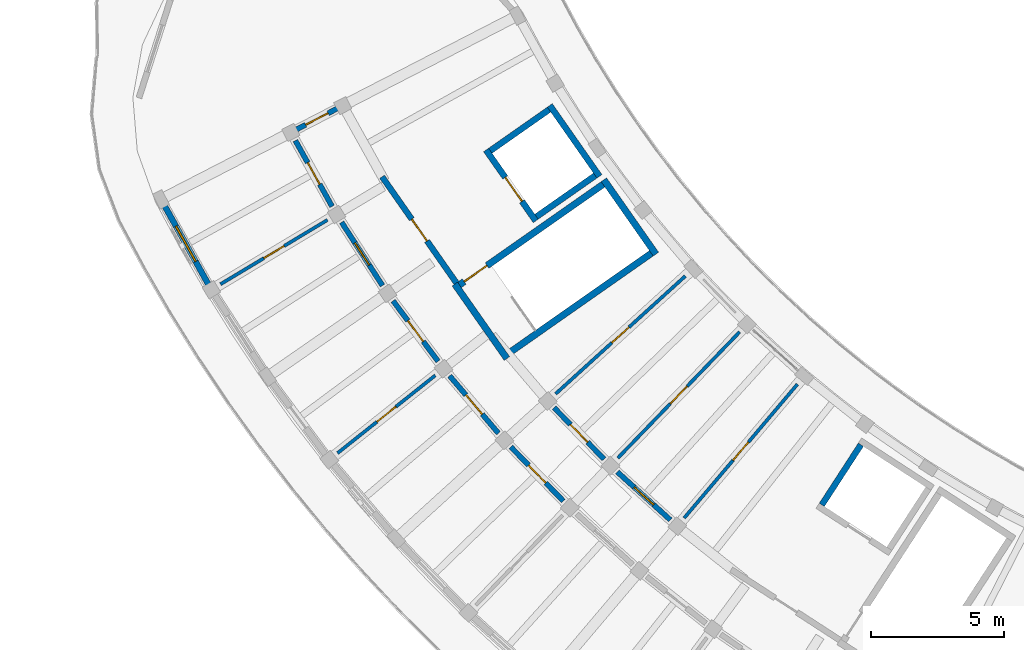
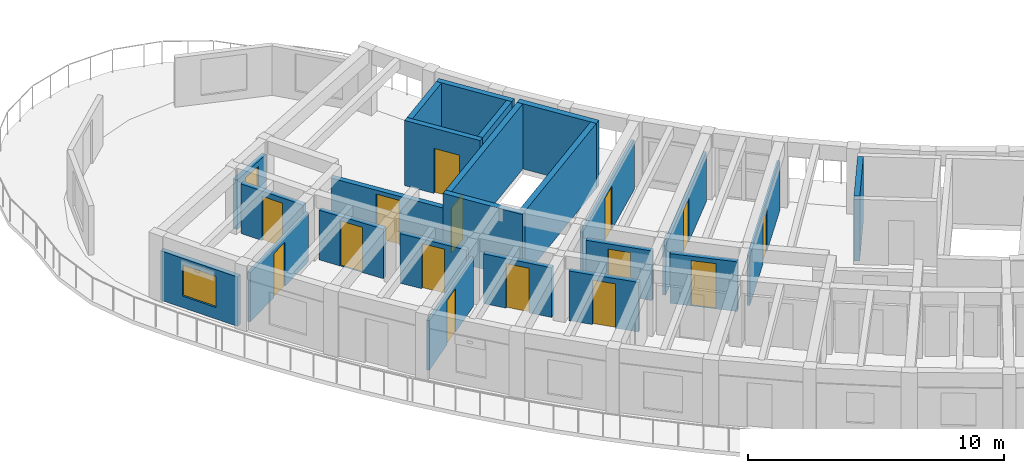
# One storey, part 17 of 41: 24 walls, 16 doors, 1 window, 17 openings.
"""IFC4 building model written with IfcOpenShell, lengths in metres."""

from ifc_helpers import new_model, si_unit, direction, frame, frame_2d, origin, place, context, subcontext, project, spatial, rectangle, extrude, material, layer, layer_set, type_object, element, fill, save


model = new_model("IFC4")

# Units and contexts
model_context = context("Model", 3, precision=1e-05, world=origin(), true_north=direction((0.0, 1.0)))
body_context = subcontext(model_context, "Body", "Model", "MODEL_VIEW")
ifc_project = project(units=[si_unit("LENGTHUNIT", "METRE"), si_unit("AREAUNIT", "SQUARE_METRE"), si_unit("VOLUMEUNIT", "CUBIC_METRE"), si_unit("PLANEANGLEUNIT", "RADIAN"), si_unit("MASSUNIT", "GRAM", prefix="KILO")], contexts=[model_context])

# Site, building, storey
site_placement = place(None, origin())
site = spatial("IfcSite", under=ifc_project, at=site_placement, CompositionType="ELEMENT")
building_placement = place(site_placement, origin())
building = spatial("IfcBuilding", under=site, at=building_placement, Name="Tanwirah Colonnade Gardens", CompositionType="ELEMENT")
storey_placement = place(building_placement, frame((0.0, 0.0, 35.719970703125)))
storey = spatial("IfcBuildingStorey", under=building, at=storey_placement, Name="L10", CompositionType="ELEMENT", Elevation=35.719970703125)

# Wall, opening, window
ifc_material_1 = material(Name="Limestone architectural precast concrete C40/50", Category="masonry")
ifc_layer_1 = layer(ifc_material_1, 0.219970703125)
ifc_layer_set_1 = layer_set([ifc_layer_1], Name="Limestone architectural precast concrete C40/50")
wall_type_1 = type_object("IfcWallType", Name="EW-PC220", PredefinedType="SOLIDWALL", material=ifc_layer_set_1)
wall_1_placement = place(storey_placement, frame((12.139404296875, 37.08935546875, 0.0), z_axis=(0.0, 0.0, 1.0), x_axis=(0.486730241133, -0.873552329495, 0.0)))
wall_1 = element("IfcWall", 1, at=wall_1_placement, inside=storey, type_object=wall_type_1, Name="Block C L10 OUT Precast Facade Wall 3", PredefinedType="SOLIDWALL", context=body_context, shape_type="SweptSolid", body=[
    extrude(rectangle(XDim=3.506591796875, YDim=0.219970703125, at=frame_2d((1.75341796875, 0.0))), origin(), (0.0, 0.0, 1.0), 2.35498046875),
])
opening_1_placement = place(wall_1_placement, frame((0.993408203125, 0.0, 0.550048828125)))
opening_1 = element("IfcOpeningElement", 2, at=opening_1_placement, cuts=wall_1, Name="Opening WIN-U10", PredefinedType="OPENING", context=body_context, shape_type="SweptSolid", body=[
    extrude(rectangle(XDim=1.52001953125, YDim=1.485107421875, at=frame_2d((0.760009765625, 0.74267578125))), frame((0.0, 0.119873046875, 0.0), z_axis=(0.0, -1.0, 0.0), x_axis=(1.0, 0.0, 0.0)), (0.0, 0.0, 1.0), 0.239990234375),
])
ifc_material_2 = material(Name="Thermally broken bronze aluminium and solar low-E double glazing", Category="aluminium")
window_type = type_object("IfcWindowType", Name="WIN-U10", PartitioningType="DOUBLE_PANEL_VERTICAL", PredefinedType="WINDOW", material=ifc_material_2)
window_placement = place(opening_1_placement, origin())
window = element("IfcWindow", 3, at=window_placement, inside=storey, type_object=window_type, Name="Facade window C-L10-OUT-03", OverallHeight=1.485107421875, OverallWidth=1.52001953125, PartitioningType="SINGLE_PANEL", PredefinedType="WINDOW", context=body_context, shape_type="SweptSolid", body=[
    extrude(rectangle(XDim=1.52001953125, YDim=1.485107421875, at=frame_2d((0.760009765625, 0.74267578125))), frame((0.0, 0.030029296875, 0.0), z_axis=(0.0, -1.0, 0.0), x_axis=(1.0, 0.0, 0.0)), (0.0, 0.0, 1.0), 0.06005859375),
])
fill(opening_1, window)

# Wall, opening, door
ifc_material_3 = material(Name="Precast concrete C40/50", Category="concrete")
ifc_layer_2 = layer(ifc_material_3, 0.195068359375)
ifc_layer_set_2 = layer_set([ifc_layer_2], Name="Precast concrete C40/50")
wall_type_2 = type_object("IfcWallType", Name="IW-CORR195", PredefinedType="PARTITIONING", material=ifc_layer_set_2)
wall_2_placement = place(storey_placement, frame((17.118896484375, 39.4462890625, 0.0), z_axis=(0.0, 0.0, 1.0), x_axis=(0.48673124079, -0.8735517725, 0.0)))
wall_2 = element("IfcWall", 4, at=wall_2_placement, inside=storey, type_object=wall_type_2, Name="Block C L10 OUT Corridor Wall 3", PredefinedType="PARTITIONING", context=body_context, shape_type="SweptSolid", body=[
    extrude(rectangle(XDim=2.8369140625, YDim=0.195068359375, at=frame_2d((1.41845703125, 0.0))), origin(), (0.0, 0.0, 1.0), 2.3701171875),
])
opening_2_placement = place(wall_2_placement, frame((0.95361328125, 0.0, 0.0)))
opening_2 = element("IfcOpeningElement", 5, at=opening_2_placement, cuts=wall_2, Name="Opening L10-AD1628", PredefinedType="OPENING", context=body_context, shape_type="SweptSolid", body=[
    extrude(rectangle(XDim=0.929931640625, YDim=2.1201171875, at=frame_2d((0.46484375, 1.06005859375))), frame((0.0, 0.107421875, 0.0), z_axis=(0.0, -1.0, 0.0), x_axis=(1.0, 0.0, 0.0)), (0.0, 0.0, 1.0), 0.215087890625),
])
ifc_material_4 = material(Name="Solid oak fire-resisting apartment entrance door")
door_type_1 = type_object("IfcDoorType", Name="ID-FLT093", OperationType="NOTDEFINED", PredefinedType="DOOR", material=ifc_material_4)
door_1_placement = place(opening_2_placement, origin())
door_1 = element("IfcDoor", 6, at=door_1_placement, inside=storey, type_object=door_type_1, Name="Apartment corridor door L10-AD1628", OperationType="SINGLE_SWING_RIGHT", OverallHeight=2.1201171875, OverallWidth=0.929931640625, PredefinedType="DOOR", context=body_context, shape_type="SweptSolid", body=[
    extrude(rectangle(XDim=0.929931640625, YDim=2.1201171875, at=frame_2d((0.46484375, 1.06005859375))), frame((0.0, 0.02490234375, 0.0), z_axis=(0.0, -1.0, 0.0), x_axis=(1.0, 0.0, 0.0)), (0.0, 0.0, 1.0), 0.050048828125),
])
fill(opening_2, door_1)

wall_3_placement = place(storey_placement, frame((18.860107421875, 36.3681640625, 0.0), z_axis=(0.0, 0.0, 1.0), x_axis=(0.542787304957, -0.83987019329, 0.0)))
wall_3 = element("IfcWall", 7, at=wall_3_placement, inside=storey, type_object=wall_type_2, Name="Block C L10 OUT Corridor Wall 4", PredefinedType="PARTITIONING", context=body_context, shape_type="SweptSolid", body=[
    extrude(rectangle(XDim=2.8369140625, YDim=0.195068359375, at=frame_2d((1.41845703125, 0.0))), origin(), (0.0, 0.0, 1.0), 2.3701171875),
])
opening_3_placement = place(wall_3_placement, frame((0.923583984375, 0.0, 0.0)))
opening_3 = element("IfcOpeningElement", 8, at=opening_3_placement, cuts=wall_3, Name="Opening L10-AD1630", PredefinedType="OPENING", context=body_context, shape_type="SweptSolid", body=[
    extrude(rectangle(XDim=0.989990234375, YDim=2.159912109375, at=frame_2d((0.4951171875, 1.080078125))), frame((0.0, 0.107421875, 0.0), z_axis=(0.0, -1.0, 0.0), x_axis=(1.0, 0.0, 0.0)), (0.0, 0.0, 1.0), 0.215087890625),
])
door_type_2 = type_object("IfcDoorType", Name="ID-FLT099", OperationType="NOTDEFINED", PredefinedType="DOOR", material=ifc_material_4)
door_2_placement = place(opening_3_placement, origin())
door_2 = element("IfcDoor", 9, at=door_2_placement, inside=storey, type_object=door_type_2, Name="Apartment corridor door L10-AD1630", OperationType="SINGLE_SWING_LEFT", OverallHeight=2.159912109375, OverallWidth=0.989990234375, PredefinedType="DOOR", context=body_context, shape_type="SweptSolid", body=[
    extrude(rectangle(XDim=0.989990234375, YDim=2.159912109375, at=frame_2d((0.4951171875, 1.080078125))), frame((0.0, 0.02490234375, 0.0), z_axis=(0.0, -1.0, 0.0), x_axis=(1.0, 0.0, 0.0)), (0.0, 0.0, 1.0), 0.050048828125),
])
fill(opening_3, door_2)

wall_4_placement = place(storey_placement, frame((20.798828125, 33.410888671875, 0.0), z_axis=(0.0, 0.0, 1.0), x_axis=(0.596552136601, -0.802574325727, 0.0)))
wall_4 = element("IfcWall", 10, at=wall_4_placement, inside=storey, type_object=wall_type_2, Name="Block C L10 OUT Corridor Wall 5", PredefinedType="PARTITIONING", context=body_context, shape_type="SweptSolid", body=[
    extrude(rectangle(XDim=2.8369140625, YDim=0.195068359375, at=frame_2d((1.41845703125, 0.0))), origin(), (0.0, 0.0, 1.0), 2.3701171875),
])
opening_4_placement = place(wall_4_placement, frame((0.93359375, 0.0, 0.0)))
opening_4 = element("IfcOpeningElement", 11, at=opening_4_placement, cuts=wall_4, Name="Opening L10-AD1631", PredefinedType="OPENING", context=body_context, shape_type="SweptSolid", body=[
    extrude(rectangle(XDim=0.969970703125, YDim=2.14990234375, at=frame_2d((0.48486328125, 1.074951171875))), frame((0.0, 0.107421875, 0.0), z_axis=(0.0, -1.0, 0.0), x_axis=(1.0, 0.0, 0.0)), (0.0, 0.0, 1.0), 0.215087890625),
])
door_type_3 = type_object("IfcDoorType", Name="ID-FLT097", OperationType="NOTDEFINED", PredefinedType="DOOR", material=ifc_material_4)
door_3_placement = place(opening_4_placement, origin())
door_3 = element("IfcDoor", 12, at=door_3_placement, inside=storey, type_object=door_type_3, Name="Apartment corridor door L10-AD1631", OperationType="SINGLE_SWING_RIGHT", OverallHeight=2.14990234375, OverallWidth=0.969970703125, PredefinedType="DOOR", context=body_context, shape_type="SweptSolid", body=[
    extrude(rectangle(XDim=0.969970703125, YDim=2.14990234375, at=frame_2d((0.48486328125, 1.074951171875))), frame((0.0, 0.02490234375, 0.0), z_axis=(0.0, -1.0, 0.0), x_axis=(1.0, 0.0, 0.0)), (0.0, 0.0, 1.0), 0.050048828125),
])
fill(opening_4, door_3)

wall_5_placement = place(storey_placement, frame((22.9267578125, 30.58642578125, 0.0), z_axis=(0.0, 0.0, 1.0), x_axis=(0.64778830669, -0.761820392032, 0.0)))
wall_5 = element("IfcWall", 13, at=wall_5_placement, inside=storey, type_object=wall_type_2, Name="Block C L10 OUT Corridor Wall 6", PredefinedType="PARTITIONING", context=body_context, shape_type="SweptSolid", body=[
    extrude(rectangle(XDim=2.8369140625, YDim=0.195068359375, at=frame_2d((1.41845703125, 0.0))), origin(), (0.0, 0.0, 1.0), 2.3701171875),
])
opening_5_placement = place(wall_5_placement, frame((0.943603515625, 0.0, 0.0)))
opening_5 = element("IfcOpeningElement", 14, at=opening_5_placement, cuts=wall_5, Name="Opening L10-AD1633", PredefinedType="OPENING", context=body_context, shape_type="SweptSolid", body=[
    extrude(rectangle(XDim=0.949951171875, YDim=2.1298828125, at=frame_2d((0.47509765625, 1.06494140625))), frame((0.0, 0.107421875, 0.0), z_axis=(0.0, -1.0, 0.0), x_axis=(1.0, 0.0, 0.0)), (0.0, 0.0, 1.0), 0.215087890625),
])
door_type_4 = type_object("IfcDoorType", Name="ID-FLT095", OperationType="NOTDEFINED", PredefinedType="DOOR", material=ifc_material_4)
door_4_placement = place(opening_5_placement, origin())
door_4 = element("IfcDoor", 15, at=door_4_placement, inside=storey, type_object=door_type_4, Name="Apartment corridor door L10-AD1633", OperationType="SINGLE_SWING_LEFT", OverallHeight=2.1298828125, OverallWidth=0.949951171875, PredefinedType="DOOR", context=body_context, shape_type="SweptSolid", body=[
    extrude(rectangle(XDim=0.949951171875, YDim=2.1298828125, at=frame_2d((0.47509765625, 1.06494140625))), frame((0.0, 0.02490234375, 0.0), z_axis=(0.0, -1.0, 0.0), x_axis=(1.0, 0.0, 0.0)), (0.0, 0.0, 1.0), 0.050048828125),
])
fill(opening_5, door_4)

wall_6_placement = place(storey_placement, frame((25.23486328125, 27.9072265625, 0.0), z_axis=(0.0, 0.0, 1.0), x_axis=(0.696223786753, -0.717824796701, 0.0)))
wall_6 = element("IfcWall", 16, at=wall_6_placement, inside=storey, type_object=wall_type_2, Name="Block C L10 OUT Corridor Wall 7", PredefinedType="PARTITIONING", context=body_context, shape_type="SweptSolid", body=[
    extrude(rectangle(XDim=2.8369140625, YDim=0.195068359375, at=frame_2d((1.41845703125, 0.0))), origin(), (0.0, 0.0, 1.0), 2.3701171875),
])
opening_6_placement = place(wall_6_placement, frame((0.95361328125, 0.0, 0.0)))
opening_6 = element("IfcOpeningElement", 17, at=opening_6_placement, cuts=wall_6, Name="Opening L10-AD1635", PredefinedType="OPENING", context=body_context, shape_type="SweptSolid", body=[
    extrude(rectangle(XDim=0.929931640625, YDim=2.1201171875, at=frame_2d((0.46484375, 1.06005859375))), frame((0.0, 0.107421875, 0.0), z_axis=(0.0, -1.0, 0.0), x_axis=(1.0, 0.0, 0.0)), (0.0, 0.0, 1.0), 0.215087890625),
])
door_5_placement = place(opening_6_placement, origin())
door_5 = element("IfcDoor", 18, at=door_5_placement, inside=storey, type_object=door_type_1, Name="Apartment corridor door L10-AD1635", OperationType="SINGLE_SWING_RIGHT", OverallHeight=2.1201171875, OverallWidth=0.929931640625, PredefinedType="DOOR", context=body_context, shape_type="SweptSolid", body=[
    extrude(rectangle(XDim=0.929931640625, YDim=2.1201171875, at=frame_2d((0.46484375, 1.06005859375))), frame((0.0, 0.02490234375, 0.0), z_axis=(0.0, -1.0, 0.0), x_axis=(1.0, 0.0, 0.0)), (0.0, 0.0, 1.0), 0.050048828125),
])
fill(opening_6, door_5)

wall_7_placement = place(storey_placement, frame((26.86328125, 29.386474609375, 0.0), z_axis=(0.0, 0.0, 1.0), x_axis=(0.696236443412, -0.717812520694, 0.0)))
wall_7 = element("IfcWall", 19, at=wall_7_placement, inside=storey, type_object=wall_type_2, Name="Block C L10 IN Corridor Wall 7", PredefinedType="PARTITIONING", context=body_context, shape_type="SweptSolid", body=[
    extrude(rectangle(XDim=2.693115234375, YDim=0.195068359375, at=frame_2d((1.3466796875, 0.0))), origin(), (0.0, 0.0, 1.0), 2.3701171875),
])
opening_7_placement = place(wall_7_placement, frame((0.881591796875, 0.0, 0.0)))
opening_7 = element("IfcOpeningElement", 20, at=opening_7_placement, cuts=wall_7, Name="Opening L10-AD1636", PredefinedType="OPENING", context=body_context, shape_type="SweptSolid", body=[
    extrude(rectangle(XDim=0.929931640625, YDim=2.1201171875, at=frame_2d((0.46484375, 1.06005859375))), frame((0.0, 0.107421875, 0.0), z_axis=(0.0, -1.0, 0.0), x_axis=(1.0, 0.0, 0.0)), (0.0, 0.0, 1.0), 0.215087890625),
])
door_6_placement = place(opening_7_placement, origin())
door_6 = element("IfcDoor", 21, at=door_6_placement, inside=storey, type_object=door_type_1, Name="Apartment corridor door L10-AD1636", OperationType="SINGLE_SWING_LEFT", OverallHeight=2.1201171875, OverallWidth=0.929931640625, PredefinedType="DOOR", context=body_context, shape_type="SweptSolid", body=[
    extrude(rectangle(XDim=0.929931640625, YDim=2.1201171875, at=frame_2d((0.46484375, 1.06005859375))), frame((0.0, 0.02490234375, 0.0), z_axis=(0.0, -1.0, 0.0), x_axis=(1.0, 0.0, 0.0)), (0.0, 0.0, 1.0), 0.050048828125),
])
fill(opening_7, door_6)

wall_8_placement = place(storey_placement, frame((29.241455078125, 26.967529296875, 0.0), z_axis=(0.0, 0.0, 1.0), x_axis=(0.74166462946, -0.670770882945, 0.0)))
wall_8 = element("IfcWall", 22, at=wall_8_placement, inside=storey, type_object=wall_type_2, Name="Block C L10 IN Corridor Wall 8", PredefinedType="PARTITIONING", context=body_context, shape_type="SweptSolid", body=[
    extrude(rectangle(XDim=2.693115234375, YDim=0.195068359375, at=frame_2d((1.3466796875, 0.0))), origin(), (0.0, 0.0, 1.0), 2.3701171875),
])
opening_8_placement = place(wall_8_placement, frame((0.8515625, 0.0, 0.0)))
opening_8 = element("IfcOpeningElement", 23, at=opening_8_placement, cuts=wall_8, Name="Opening L10-AD1640", PredefinedType="OPENING", context=body_context, shape_type="SweptSolid", body=[
    extrude(rectangle(XDim=0.989990234375, YDim=2.159912109375, at=frame_2d((0.4951171875, 1.080078125))), frame((0.0, 0.107421875, 0.0), z_axis=(0.0, -1.0, 0.0), x_axis=(1.0, 0.0, 0.0)), (0.0, 0.0, 1.0), 0.215087890625),
])
door_7_placement = place(opening_8_placement, origin())
door_7 = element("IfcDoor", 24, at=door_7_placement, inside=storey, type_object=door_type_2, Name="Apartment corridor door L10-AD1640", OperationType="SINGLE_SWING_RIGHT", OverallHeight=2.159912109375, OverallWidth=0.989990234375, PredefinedType="DOOR", context=body_context, shape_type="SweptSolid", body=[
    extrude(rectangle(XDim=0.989990234375, YDim=2.159912109375, at=frame_2d((0.4951171875, 1.080078125))), frame((0.0, 0.02490234375, 0.0), z_axis=(0.0, -1.0, 0.0), x_axis=(1.0, 0.0, 0.0)), (0.0, 0.0, 1.0), 0.050048828125),
])
fill(opening_8, door_7)

wall_9_placement = place(storey_placement, frame((18.860107421875, 40.736328125, 0.0), z_axis=(0.0, 0.0, 1.0), x_axis=(-0.889039089533, -0.45783129784, 0.0)))
wall_9 = element("IfcWall", 25, at=wall_9_placement, inside=storey, type_object=wall_type_2, Name="Block C L10 CS Corner Suite Corridor Wall", PredefinedType="PARTITIONING", context=body_context, shape_type="SweptSolid", body=[
    extrude(rectangle(XDim=2.099853515625, YDim=0.195068359375, at=frame_2d((1.0498046875, 0.0))), origin(), (0.0, 0.0, 1.0), 2.3701171875),
])
opening_9_placement = place(wall_9_placement, frame((0.570068359375, 0.0, 0.0)))
opening_9 = element("IfcOpeningElement", 26, at=opening_9_placement, cuts=wall_9, Name="Opening L10-CD1648", PredefinedType="OPENING", context=body_context, shape_type="SweptSolid", body=[
    extrude(rectangle(XDim=0.949951171875, YDim=2.1298828125, at=frame_2d((0.47509765625, 1.06494140625))), frame((0.0, 0.107421875, 0.0), z_axis=(0.0, -1.0, 0.0), x_axis=(1.0, 0.0, 0.0)), (0.0, 0.0, 1.0), 0.215087890625),
])
door_8_placement = place(opening_9_placement, origin())
door_8 = element("IfcDoor", 27, at=door_8_placement, inside=storey, type_object=door_type_4, Name="Corner suite entrance door L10-CD1648", OperationType="SINGLE_SWING_LEFT", OverallHeight=2.1298828125, OverallWidth=0.949951171875, PredefinedType="DOOR", context=body_context, shape_type="SweptSolid", body=[
    extrude(rectangle(XDim=0.949951171875, YDim=2.1298828125, at=frame_2d((0.47509765625, 1.06494140625))), frame((0.0, 0.02490234375, 0.0), z_axis=(0.0, -1.0, 0.0), x_axis=(1.0, 0.0, 0.0)), (0.0, 0.0, 1.0), 0.050048828125),
])
fill(opening_9, door_8)

ifc_material_5 = material(Name="Autoclaved aerated masonry blockwork", Category="masonry")
ifc_layer_3 = layer(ifc_material_5, 0.219970703125)
ifc_layer_set_3 = layer_set([ifc_layer_3], Name="Autoclaved aerated masonry blockwork")
wall_type_3 = type_object("IfcWallType", Name="IW-FFL220", PredefinedType="PARTITIONING", material=ifc_layer_set_3)
wall_10_placement = place(storey_placement, frame((23.19482421875, 34.06787109375, 0.0), z_axis=(0.0, 0.0, 1.0), x_axis=(-0.573572687386, 0.819154669329, 0.0)))
wall_10 = element("IfcWall", 28, at=wall_10_placement, inside=storey, type_object=wall_type_3, Name="CORE-C1 L10 Enclosed Lobby Fire Wall", PredefinedType="PARTITIONING", context=body_context, shape_type="SweptSolid", body=[
    extrude(rectangle(XDim=4.900146484375, YDim=0.219970703125, at=frame_2d((2.4501953125, 0.0))), origin(), (0.0, 0.0, 1.0), 2.340087890625),
])
opening_10_placement = place(wall_10_placement, frame((1.949951171875, 0.0, 0.0)))
opening_10 = element("IfcOpeningElement", 29, at=opening_10_placement, cuts=wall_10, Name="Opening L10-LD144", PredefinedType="OPENING", context=body_context, shape_type="SweptSolid", body=[
    extrude(rectangle(XDim=1.0, YDim=2.14990234375, at=frame_2d((0.5, 1.074951171875))), frame((0.0, 0.119873046875, 0.0), z_axis=(0.0, -1.0, 0.0), x_axis=(1.0, 0.0, 0.0)), (0.0, 0.0, 1.0), 0.239990234375),
])
ifc_material_6 = material(Name="Acoustic fire-resisting lobby door")
door_type_5 = type_object("IfcDoorType", Name="ID-FFL100", OperationType="NOTDEFINED", PredefinedType="DOOR", material=ifc_material_6)
door_9_placement = place(opening_10_placement, origin())
door_9 = element("IfcDoor", 30, at=door_9_placement, inside=storey, type_object=door_type_5, Name="CORE-C1 L10 Lobby Fire Door L10-LD144", OperationType="SINGLE_SWING_LEFT", OverallHeight=2.14990234375, OverallWidth=1.0, PredefinedType="DOOR", context=body_context, shape_type="SweptSolid", body=[
    extrude(rectangle(XDim=1.0, YDim=2.14990234375, at=frame_2d((0.5, 1.074951171875))), frame((0.0, 0.02490234375, 0.0), z_axis=(0.0, -1.0, 0.0), x_axis=(1.0, 0.0, 0.0)), (0.0, 0.0, 1.0), 0.050048828125),
])
fill(opening_10, door_9)

ifc_material_7 = material(Name="Moisture-resistant gypsum stud partition")
ifc_layer_4 = layer(ifc_material_7, 0.125)
ifc_layer_set_4 = layer_set([ifc_layer_4], Name="Moisture-resistant gypsum stud partition")
wall_type_4 = type_object("IfcWallType", Name="IW-INT125", PredefinedType="PARTITIONING", material=ifc_layer_set_4)
wall_11_placement = place(storey_placement, frame((18.3271484375, 36.456298828125, 0.0), z_axis=(0.0, 0.0, 1.0), x_axis=(-0.857139805444, -0.515083831937, 0.0)))
wall_11 = element("IfcWall", 31, at=wall_11_placement, inside=storey, type_object=wall_type_4, Name="Block C L10 Radial Partition 3", PredefinedType="PARTITIONING", context=body_context, shape_type="SweptSolid", body=[
    extrude(rectangle(XDim=4.699951171875, YDim=0.125, at=frame_2d((2.35009765625, 0.0))), origin(), (0.0, 0.0, 1.0), 2.3701171875),
])
opening_11_placement = place(wall_11_placement, frame((1.905029296875, 0.0, 0.0)))
opening_11 = element("IfcOpeningElement", 32, at=opening_11_placement, cuts=wall_11, Name="Opening L10-RD1629", PredefinedType="OPENING", context=body_context, shape_type="SweptSolid", body=[
    extrude(rectangle(XDim=0.889892578125, YDim=2.10009765625, at=frame_2d((0.44482421875, 1.050048828125))), frame((0.0, 0.072509765625, 0.0), z_axis=(0.0, -1.0, 0.0), x_axis=(1.0, 0.0, 0.0)), (0.0, 0.0, 1.0), 0.14501953125),
])
ifc_material_8 = material(Name="Painted hardwood bedroom door", Category="wood")
door_type_6 = type_object("IfcDoorType", Name="ID-RM089", OperationType="NOTDEFINED", PredefinedType="DOOR", material=ifc_material_8)
door_10_placement = place(opening_11_placement, origin())
door_10 = element("IfcDoor", 33, at=door_10_placement, inside=storey, type_object=door_type_6, Name="Internal apartment door L10-RD1629", OperationType="SINGLE_SWING_RIGHT", OverallHeight=2.10009765625, OverallWidth=0.889892578125, PredefinedType="DOOR", context=body_context, shape_type="SweptSolid", body=[
    extrude(rectangle(XDim=0.889892578125, YDim=2.10009765625, at=frame_2d((0.44482421875, 1.050048828125))), frame((0.0, 0.02490234375, 0.0), z_axis=(0.0, -1.0, 0.0), x_axis=(1.0, 0.0, 0.0)), (0.0, 0.0, 1.0), 0.050048828125),
])
fill(opening_11, door_10)

wall_12_placement = place(storey_placement, frame((22.386962890625, 30.60400390625, 0.0), z_axis=(0.0, 0.0, 1.0), x_axis=(-0.782609106384, -0.622513442911, 0.0)))
wall_12 = element("IfcWall", 34, at=wall_12_placement, inside=storey, type_object=wall_type_4, Name="Block C L10 Radial Partition 5", PredefinedType="PARTITIONING", context=body_context, shape_type="SweptSolid", body=[
    extrude(rectangle(XDim=4.699951171875, YDim=0.125, at=frame_2d((2.35009765625, 0.0))), origin(), (0.0, 0.0, 1.0), 2.3701171875),
])
opening_12_placement = place(wall_12_placement, frame((1.89501953125, 0.0, 0.0)))
opening_12 = element("IfcOpeningElement", 35, at=opening_12_placement, cuts=wall_12, Name="Opening L10-RD1632", PredefinedType="OPENING", context=body_context, shape_type="SweptSolid", body=[
    extrude(rectangle(XDim=0.909912109375, YDim=2.10009765625, at=frame_2d((0.455078125, 1.050048828125))), frame((0.0, 0.072509765625, 0.0), z_axis=(0.0, -1.0, 0.0), x_axis=(1.0, 0.0, 0.0)), (0.0, 0.0, 1.0), 0.14501953125),
])
ifc_material_9 = material(Name="Painted hardwood internal room door", Category="wood")
door_type_7 = type_object("IfcDoorType", Name="ID-RM091", OperationType="NOTDEFINED", PredefinedType="DOOR", material=ifc_material_9)
door_11_placement = place(opening_12_placement, origin())
door_11 = element("IfcDoor", 36, at=door_11_placement, inside=storey, type_object=door_type_7, Name="Internal apartment door L10-RD1632", OperationType="SINGLE_SWING_RIGHT", OverallHeight=2.10009765625, OverallWidth=0.909912109375, PredefinedType="DOOR", context=body_context, shape_type="SweptSolid", body=[
    extrude(rectangle(XDim=0.909912109375, YDim=2.10009765625, at=frame_2d((0.455078125, 1.050048828125))), frame((0.0, 0.02490234375, 0.0), z_axis=(0.0, -1.0, 0.0), x_axis=(1.0, 0.0, 0.0)), (0.0, 0.0, 1.0), 0.050048828125),
])
fill(opening_12, door_11)

wall_13_placement = place(storey_placement, frame((31.80126953125, 34.34423828125, 0.0), z_axis=(0.0, 0.0, 1.0), x_axis=(-0.74023124711, -0.672352363573, 0.0)))
wall_13 = element("IfcWall", 37, at=wall_13_placement, inside=storey, type_object=wall_type_4, Name="Block C L10 Inner Radial Partition 6", PredefinedType="PARTITIONING", context=body_context, shape_type="SweptSolid", body=[
    extrude(rectangle(XDim=6.599853515625, YDim=0.125, at=frame_2d((3.2998046875, 0.0))), origin(), (0.0, 0.0, 1.0), 2.3701171875),
])
opening_13_placement = place(wall_13_placement, frame((2.864990234375, 0.0, 0.0)))
opening_13 = element("IfcOpeningElement", 38, at=opening_13_placement, cuts=wall_13, Name="Opening L10-RD1634", PredefinedType="OPENING", context=body_context, shape_type="SweptSolid", body=[
    extrude(rectangle(XDim=0.8701171875, YDim=2.080078125, at=frame_2d((0.43505859375, 1.0400390625))), frame((0.0, 0.072509765625, 0.0), z_axis=(0.0, -1.0, 0.0), x_axis=(1.0, 0.0, 0.0)), (0.0, 0.0, 1.0), 0.14501953125),
])
ifc_material_10 = material(Name="Painted hardwood study door", Category="wood")
door_type_8 = type_object("IfcDoorType", Name="ID-RM087", OperationType="NOTDEFINED", PredefinedType="DOOR", material=ifc_material_10)
door_12_placement = place(opening_13_placement, origin())
door_12 = element("IfcDoor", 39, at=door_12_placement, inside=storey, type_object=door_type_8, Name="Internal apartment door L10-RD1634", OperationType="SINGLE_SWING_RIGHT", OverallHeight=2.080078125, OverallWidth=0.8701171875, PredefinedType="DOOR", context=body_context, shape_type="SweptSolid", body=[
    extrude(rectangle(XDim=0.8701171875, YDim=2.080078125, at=frame_2d((0.43505859375, 1.0400390625))), frame((0.0, 0.02490234375, 0.0), z_axis=(0.0, -1.0, 0.0), x_axis=(1.0, 0.0, 0.0)), (0.0, 0.0, 1.0), 0.050048828125),
])
fill(opening_13, door_12)

wall_14_placement = place(storey_placement, frame((33.844482421875, 32.237548828125, 0.0), z_axis=(0.0, 0.0, 1.0), x_axis=(-0.69466250658, -0.71933580611, 0.0)))
wall_14 = element("IfcWall", 40, at=wall_14_placement, inside=storey, type_object=wall_type_4, Name="Block C L10 Inner Radial Partition 7", PredefinedType="PARTITIONING", context=body_context, shape_type="SweptSolid", body=[
    extrude(rectangle(XDim=6.599853515625, YDim=0.125, at=frame_2d((3.2998046875, 0.0))), origin(), (0.0, 0.0, 1.0), 2.3701171875),
])
opening_14_placement = place(wall_14_placement, frame((2.844970703125, 0.0, 0.0)))
opening_14 = element("IfcOpeningElement", 41, at=opening_14_placement, cuts=wall_14, Name="Opening L10-RD1638", PredefinedType="OPENING", context=body_context, shape_type="SweptSolid", body=[
    extrude(rectangle(XDim=0.909912109375, YDim=2.10009765625, at=frame_2d((0.455078125, 1.050048828125))), frame((0.0, 0.072509765625, 0.0), z_axis=(0.0, -1.0, 0.0), x_axis=(1.0, 0.0, 0.0)), (0.0, 0.0, 1.0), 0.14501953125),
])
door_13_placement = place(opening_14_placement, origin())
door_13 = element("IfcDoor", 42, at=door_13_placement, inside=storey, type_object=door_type_7, Name="Internal apartment door L10-RD1638", OperationType="SINGLE_SWING_LEFT", OverallHeight=2.10009765625, OverallWidth=0.909912109375, PredefinedType="DOOR", context=body_context, shape_type="SweptSolid", body=[
    extrude(rectangle(XDim=0.909912109375, YDim=2.10009765625, at=frame_2d((0.455078125, 1.050048828125))), frame((0.0, 0.02490234375, 0.0), z_axis=(0.0, -1.0, 0.0), x_axis=(1.0, 0.0, 0.0)), (0.0, 0.0, 1.0), 0.050048828125),
])
fill(opening_14, door_13)

wall_15_placement = place(storey_placement, frame((36.021240234375, 30.26904296875, 0.0), z_axis=(0.0, 0.0, 1.0), x_axis=(-0.646121311019, -0.763234728932, 0.0)))
wall_15 = element("IfcWall", 43, at=wall_15_placement, inside=storey, type_object=wall_type_4, Name="Block C L10 Inner Radial Partition 8", PredefinedType="PARTITIONING", context=body_context, shape_type="SweptSolid", body=[
    extrude(rectangle(XDim=6.60009765625, YDim=0.125, at=frame_2d((3.300048828125, 0.0))), origin(), (0.0, 0.0, 1.0), 2.3701171875),
])
opening_15_placement = place(wall_15_placement, frame((2.85498046875, 0.0, 0.0)))
opening_15 = element("IfcOpeningElement", 44, at=opening_15_placement, cuts=wall_15, Name="Opening L10-RD1641", PredefinedType="OPENING", context=body_context, shape_type="SweptSolid", body=[
    extrude(rectangle(XDim=0.889892578125, YDim=2.10009765625, at=frame_2d((0.44482421875, 1.050048828125))), frame((0.0, 0.072509765625, 0.0), z_axis=(0.0, -1.0, 0.0), x_axis=(1.0, 0.0, 0.0)), (0.0, 0.0, 1.0), 0.14501953125),
])
door_14_placement = place(opening_15_placement, origin())
door_14 = element("IfcDoor", 45, at=door_14_placement, inside=storey, type_object=door_type_6, Name="Internal apartment door L10-RD1641", OperationType="SINGLE_SWING_RIGHT", OverallHeight=2.10009765625, OverallWidth=0.889892578125, PredefinedType="DOOR", context=body_context, shape_type="SweptSolid", body=[
    extrude(rectangle(XDim=0.889892578125, YDim=2.10009765625, at=frame_2d((0.44482421875, 1.050048828125))), frame((0.0, 0.02490234375, 0.0), z_axis=(0.0, -1.0, 0.0), x_axis=(1.0, 0.0, 0.0)), (0.0, 0.0, 1.0), 0.050048828125),
])
fill(opening_15, door_14)

# Walls
ifc_material_11 = material(Name="Concrete C45/55", Category="concrete")
ifc_layer_5 = layer(ifc_material_11, 0.25)
ifc_layer_set_5 = layer_set([ifc_layer_5], Name="Concrete C45/55")
wall_type_5 = type_object("IfcWallType", Name="SW-CORE250", PredefinedType="SHEAR", material=ifc_layer_set_5)
wall_16_placement = place(storey_placement, frame((25.1142578125, 31.413818359375, 0.0), z_axis=(0.0, 0.0, 1.0), x_axis=(0.819141541656, 0.573591435374, 0.0)))
element("IfcWall", 46, at=wall_16_placement, inside=storey, type_object=wall_type_5, Name="CORE-C1 L10 Stair Shaft Shear Wall LEFT", PredefinedType="SHEAR", context=body_context, shape_type="SweptSolid", body=[
    extrude(rectangle(XDim=6.599853515625, YDim=0.25, at=frame_2d((3.2998046875, 0.0))), origin(), (0.0, 0.0, 1.0), 3.110107421875),
])
for number, where, z_axis, x_axis, name in (
    (47, (30.694580078125, 35.168701171875, 0.0), (0.0, 0.0, 1.0), (-0.573582112484, 0.819148069789, 0.0), "CORE-C1 L10 Stair Shaft Shear Wall FAR"),
    (48, (25.08349609375, 31.23974609375, 0.0), (0.0, 0.0, 1.0), (-0.573582112484, 0.819148069789, 0.0), "CORE-C1 L10 Stair Shaft Shear Wall NEAR"),
):
    element("IfcWall", number, at=place(storey_placement, frame(where, z_axis=z_axis, x_axis=x_axis)), inside=storey, type_object=wall_type_5, Name=name, PredefinedType="SHEAR", context=body_context, shape_type="SweptSolid", body=[
        extrude(rectangle(XDim=3.419921875, YDim=0.25, at=frame_2d((1.7099609375, 0.0))), origin(), (0.0, 0.0, 1.0), 3.110107421875),
    ])

# Wall, opening, door
wall_17_placement = place(storey_placement, frame((23.2958984375, 34.010498046875, 0.0), z_axis=(0.0, 0.0, 1.0), x_axis=(0.819153711596, 0.573574055182, 0.0)))
wall_17 = element("IfcWall", 49, at=wall_17_placement, inside=storey, type_object=wall_type_5, Name="CORE-C1 L10 Stair Shaft Shear Wall RIGHT", PredefinedType="SHEAR", context=body_context, shape_type="SweptSolid", body=[
    extrude(rectangle(XDim=6.60009765625, YDim=0.25, at=frame_2d((3.300048828125, 0.0))), origin(), (0.0, 0.0, 1.0), 3.110107421875),
])
opening_16_placement = place(wall_17_placement, frame((0.219970703125, 0.0, 0.0)))
opening_16 = element("IfcOpeningElement", 50, at=opening_16_placement, cuts=wall_17, Name="Opening L10-SD132", PredefinedType="OPENING", context=body_context, shape_type="SweptSolid", body=[
    extrude(rectangle(XDim=1.050048828125, YDim=2.14990234375, at=frame_2d((0.52490234375, 1.074951171875))), frame((0.0, 0.135009765625, 0.0), z_axis=(0.0, -1.0, 0.0), x_axis=(1.0, 0.0, 0.0)), (0.0, 0.0, 1.0), 0.27001953125),
])
ifc_material_12 = material(Name="Steel fire-resisting stair enclosure door", Category="steel")
door_type_9 = type_object("IfcDoorType", Name="ID-ST105", OperationType="NOTDEFINED", PredefinedType="DOOR", material=ifc_material_12)
door_15_placement = place(opening_16_placement, origin())
door_15 = element("IfcDoor", 51, at=door_15_placement, inside=storey, type_object=door_type_9, Name="CORE-C1 L10 Stair Fire Door L10-SD132", OperationType="SINGLE_SWING_LEFT", OverallHeight=2.14990234375, OverallWidth=1.050048828125, PredefinedType="DOOR", context=body_context, shape_type="SweptSolid", body=[
    extrude(rectangle(XDim=1.050048828125, YDim=2.14990234375, at=frame_2d((0.52490234375, 1.074951171875))), frame((0.0, 0.02490234375, 0.0), z_axis=(0.0, -1.0, 0.0), x_axis=(1.0, 0.0, 0.0)), (0.0, 0.0, 1.0), 0.050048828125),
])
fill(opening_16, door_15)

ifc_layer_6 = layer(ifc_material_11, 0.22998046875)
ifc_layer_set_6 = layer_set([ifc_layer_6], Name="Concrete C45/55")
wall_type_6 = type_object("IfcWallType", Name="SW-LIFT230", PredefinedType="SHEAR", material=ifc_layer_set_6)
wall_18_placement = place(storey_placement, frame((26.1689453125, 36.419189453125, 0.0), z_axis=(0.0, 0.0, 1.0), x_axis=(-0.573582966431, 0.819147471839, 0.0)))
wall_18 = element("IfcWall", 52, at=wall_18_placement, inside=storey, type_object=wall_type_6, Name="CORE-C1 L10 Lift Shaft Wall FRONT", PredefinedType="SHEAR", context=body_context, shape_type="SweptSolid", body=[
    extrude(rectangle(XDim=3.260009765625, YDim=0.22998046875, at=frame_2d((1.6298828125, 0.0))), origin(), (0.0, 0.0, 1.0), 3.110107421875),
])
opening_17_placement = place(wall_18_placement, frame((0.89990234375, 0.0, 0.0)))
opening_17 = element("IfcOpeningElement", 53, at=opening_17_placement, cuts=wall_18, Name="Opening L10-LD-FL-C1", PredefinedType="OPENING", context=body_context, shape_type="SweptSolid", body=[
    extrude(rectangle(XDim=1.10009765625, YDim=2.14990234375, at=frame_2d((0.550048828125, 1.074951171875))), frame((0.0, 0.125, 0.0), z_axis=(0.0, -1.0, 0.0), x_axis=(1.0, 0.0, 0.0)), (0.0, 0.0, 1.0), 0.25),
])
ifc_material_13 = material(Name="Stainless steel sliding fire lift landing door", Category="steel")
door_type_10 = type_object("IfcDoorType", Name="LD-FF11", OperationType="DOUBLE_DOOR_SLIDING", PredefinedType="DOOR", material=ifc_material_13)
door_16_placement = place(opening_17_placement, origin())
door_16 = element("IfcDoor", 54, at=door_16_placement, inside=storey, type_object=door_type_10, Name="Lift FL-C1 L10 Sliding Landing Door", OperationType="DOUBLE_DOOR_SLIDING", OverallHeight=2.14990234375, OverallWidth=1.10009765625, PredefinedType="DOOR", context=body_context, shape_type="SweptSolid", body=[
    extrude(rectangle(XDim=1.10009765625, YDim=2.14990234375, at=frame_2d((0.550048828125, 1.074951171875))), frame((0.0, 0.02490234375, 0.0), z_axis=(0.0, -1.0, 0.0), x_axis=(1.0, 0.0, 0.0)), (0.0, 0.0, 1.0), 0.050048828125),
])
fill(opening_17, door_16)

# Walls
wall_19_placement = place(storey_placement, frame((28.569091796875, 38.099609375, 0.0), z_axis=(0.0, 0.0, 1.0), x_axis=(-0.573582966431, 0.819147471839, 0.0)))
element("IfcWall", 55, at=wall_19_placement, inside=storey, type_object=wall_type_6, Name="CORE-C1 L10 Lift Shaft Wall BACK", PredefinedType="SHEAR", context=body_context, shape_type="SweptSolid", body=[
    extrude(rectangle(XDim=3.260009765625, YDim=0.22998046875, at=frame_2d((1.6298828125, 0.0))), origin(), (0.0, 0.0, 1.0), 3.110107421875),
])
wall_20_placement = place(storey_placement, frame((26.197265625, 36.579345703125, 0.0), z_axis=(0.0, 0.0, 1.0), x_axis=(0.819159695432, 0.573565509231, 0.0)))
element("IfcWall", 56, at=wall_20_placement, inside=storey, type_object=wall_type_6, Name="CORE-C1 L10 Lift Shaft Wall SIDEA", PredefinedType="SHEAR", context=body_context, shape_type="SweptSolid", body=[
    extrude(rectangle(XDim=2.699951171875, YDim=0.22998046875, at=frame_2d((1.35009765625, 0.0))), origin(), (0.0, 0.0, 1.0), 3.110107421875),
])
wall_21_placement = place(storey_placement, frame((24.459228515625, 39.061279296875, 0.0), z_axis=(0.0, 0.0, 1.0), x_axis=(0.819189439894, 0.573523026186, 0.0)))
element("IfcWall", 57, at=wall_21_placement, inside=storey, type_object=wall_type_6, Name="CORE-C1 L10 Lift Shaft Wall SIDEB", PredefinedType="SHEAR", context=body_context, shape_type="SweptSolid", body=[
    extrude(rectangle(XDim=2.7001953125, YDim=0.22998046875, at=frame_2d((1.35009765625, 0.0))), origin(), (0.0, 0.0, 1.0), 3.110107421875),
])
wall_22_placement = place(storey_placement, frame((36.94091796875, 25.726806640625, 0.0), z_axis=(0.0, 0.0, 1.0), x_axis=(0.544622789439, 0.838681117722, 0.0)))
element("IfcWall", 58, at=wall_22_placement, inside=storey, type_object=wall_type_6, Name="CORE-C2 L10 Lift Shaft Wall SIDEB", PredefinedType="SHEAR", context=body_context, shape_type="SweptSolid", body=[
    extrude(rectangle(XDim=2.699951171875, YDim=0.22998046875, at=frame_2d((1.35009765625, 0.0))), origin(), (0.0, 0.0, 1.0), 3.110107421875),
])

save(model, "model.ifc")
